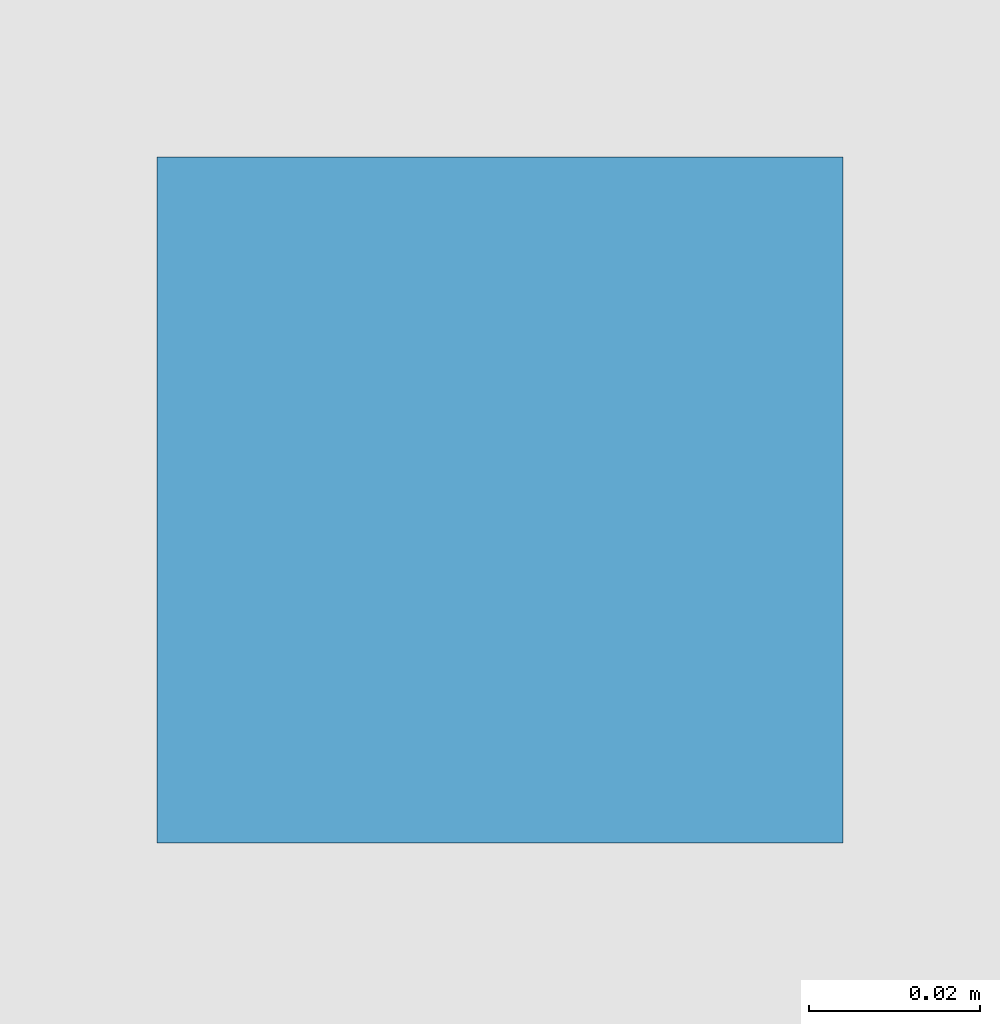
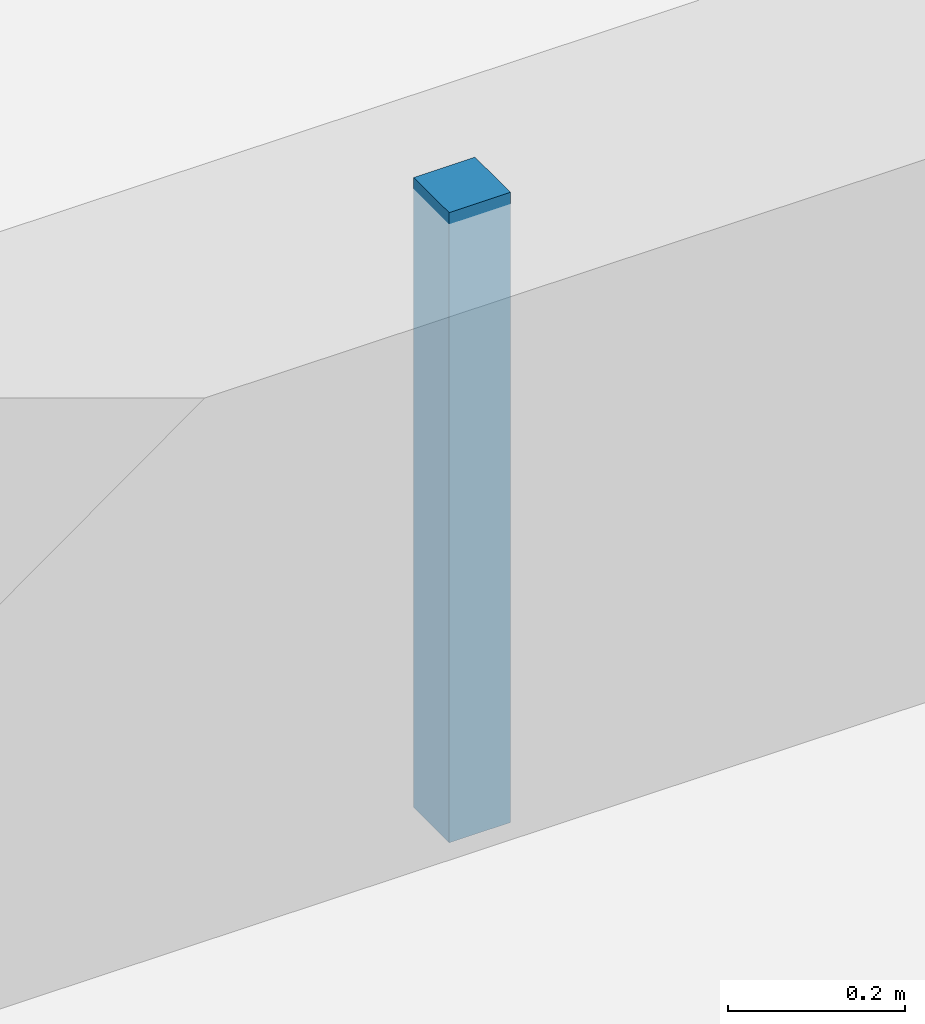
# One storey, part 126 of 136: 1 discrete accessory.
"""IFC4 building model written with IfcOpenShell, lengths in metres."""

from ifc_helpers import new_model, si_unit, direction, frame, origin, origin_2d, place, context, subcontext, project, spatial, rectangle, extrude, material, type_object, element, save


model = new_model("IFC4")

# Units and contexts
model_context = context("Model", 3, precision=1e-05, world=origin(), true_north=direction((0.0, 1.0)))
body_context = subcontext(model_context, "Body", "Model", "MODEL_VIEW")
ifc_project = project(units=[si_unit("LENGTHUNIT", "METRE"), si_unit("AREAUNIT", "SQUARE_METRE"), si_unit("VOLUMEUNIT", "CUBIC_METRE"), si_unit("PLANEANGLEUNIT", "RADIAN"), si_unit("MASSUNIT", "GRAM", prefix="KILO")], contexts=[model_context])

# Site, building, storey
site_placement = place(None, origin())
site = spatial("IfcSite", under=ifc_project, at=site_placement, CompositionType="ELEMENT")
building_placement = place(site_placement, origin())
building = spatial("IfcBuilding", under=site, at=building_placement, Name="Koriwan Promenade Central Fire Station", CompositionType="ELEMENT")
storey_placement = place(building_placement, frame((0.0, 0.0, 5.39990234375)))
storey = spatial("IfcBuildingStorey", under=building, at=storey_placement, Name="L01", CompositionType="ELEMENT", Elevation=5.39990234375)

# Discrete accessory
ifc_material = material(Name="Steel ASTM A572 Grade 50", Category="steel")
discrete_accessory_type = type_object("IfcDiscreteAccessoryType", Name="CeilingHanger_Bracket", PredefinedType="BRACKET", material=ifc_material)
discrete_accessory_placement = place(storey_placement, frame((154.800048828125, 28.800048828125, 3.094970703125), z_axis=(0.0, 0.0, 1.0), x_axis=(1.0, 0.0, 0.0)))
element("IfcDiscreteAccessory", 1, at=discrete_accessory_placement, inside=storey, type_object=discrete_accessory_type, Name="Metropolitan Brigade Operations Office acoustic ceiling seismic hanger", PredefinedType="BRACKET", context=body_context, shape_type="SweptSolid", body=[
    extrude(rectangle(XDim=0.080078125, YDim=0.080078125, at=origin_2d()), origin(), (0.0, 0.0, 1.0), 0.8701171875),
])

save(model, "model.ifc")
